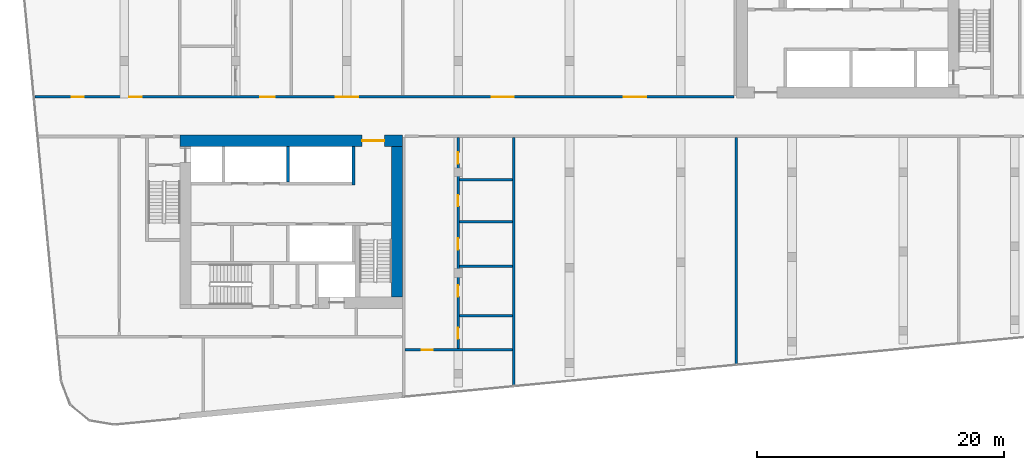
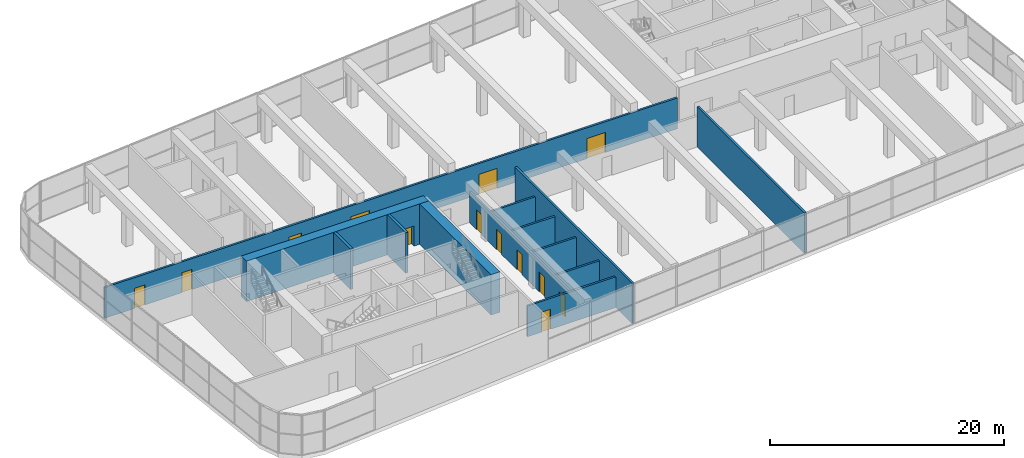
# One storey, part 14 of 21: 13 doors, 13 walls, 13 openings.
"""IFC4 building model written with IfcOpenShell, lengths in metres."""

from ifc_helpers import new_model, si_unit, direction, frame, frame_2d, origin, place, context, subcontext, project, spatial, rectangle, extrude, material, layer, layer_set, type_object, element, fill, save


model = new_model("IFC4")

# Units and contexts
model_context = context("Model", 3, precision=1e-05, world=origin(), true_north=direction((0.0, 1.0)))
body_context = subcontext(model_context, "Body", "Model", "MODEL_VIEW")
ifc_project = project(units=[si_unit("LENGTHUNIT", "METRE"), si_unit("AREAUNIT", "SQUARE_METRE"), si_unit("VOLUMEUNIT", "CUBIC_METRE"), si_unit("PLANEANGLEUNIT", "RADIAN"), si_unit("MASSUNIT", "GRAM", prefix="KILO")], contexts=[model_context])

# Site, building, storey
site_placement = place(None, origin())
site = spatial("IfcSite", under=ifc_project, at=site_placement, CompositionType="ELEMENT")
building_placement = place(site_placement, origin())
building = spatial("IfcBuilding", under=site, at=building_placement, Name="Kajstack Hotel Tower", CompositionType="ELEMENT")
storey_placement = place(building_placement, frame((0.0, 0.0, 162.39990234375)))
storey = spatial("IfcBuildingStorey", under=building, at=storey_placement, Name="L37", CompositionType="ELEMENT", Elevation=162.39990234375)

# Wall, opening, door
ifc_material_1 = material(Name="Concrete C60/75", Category="concrete")
ifc_layer_1 = layer(ifc_material_1, 0.89990234375)
ifc_layer_set_1 = layer_set([ifc_layer_1], Name="Core wall 900")
wall_type_1 = type_object("IfcWallType", Name="Core wall 900", PredefinedType="SHEAR", material=ifc_layer_set_1)
wall_1_placement = place(storey_placement, frame((-31.5, -1.949951171875, 0.0), z_axis=(0.0, 0.0, 1.0), x_axis=(1.0, 0.0, 0.0)))
wall_1 = element("IfcWall", 1, at=wall_1_placement, inside=storey, type_object=wall_type_1, Name="Core wall W RN", PredefinedType="SHEAR", context=body_context, shape_type="SweptSolid", body=[
    extrude(rectangle(XDim=18.0, YDim=0.89990234375, at=frame_2d((9.0, 0.0))), origin(), (0.0, 0.0, 1.0), 4.22021484375),
])
opening_1_placement = place(wall_1_placement, frame((14.72509765625, 0.0, 0.0)))
opening_1 = element("IfcOpeningElement", 2, at=opening_1_placement, cuts=wall_1, Name="Opening 37W07", PredefinedType="OPENING", context=body_context, shape_type="SweptSolid", body=[
    extrude(rectangle(XDim=1.800048828125, YDim=2.10009765625, at=frame_2d((0.89990234375, 1.050048828125))), frame((0.0, 0.4599609375, 0.0), z_axis=(0.0, -1.0, 0.0), x_axis=(1.0, 0.0, 0.0)), (0.0, 0.0, 1.0), 0.919921875),
])
ifc_material_2 = material(Name="Glazed steel frame, fire-rated glass", Category="steel")
door_type_1 = type_object("IfcDoorType", Name="Lobby double door 1800", OperationType="DOUBLE_DOOR_DOUBLE_SWING", PredefinedType="DOOR", material=ifc_material_2)
door_1_placement = place(opening_1_placement, origin())
door_1 = element("IfcDoor", 3, at=door_1_placement, inside=storey, type_object=door_type_1, Name="Door 37W07", OperationType="DOUBLE_DOOR_DOUBLE_SWING", OverallHeight=2.10009765625, OverallWidth=1.800048828125, PredefinedType="DOOR", context=body_context, shape_type="SweptSolid", body=[
    extrude(rectangle(XDim=1.800048828125, YDim=2.10009765625, at=frame_2d((0.89990234375, 1.050048828125))), frame((0.0, 0.02490234375, 0.0), z_axis=(0.0, -1.0, 0.0), x_axis=(1.0, 0.0, 0.0)), (0.0, 0.0, 1.0), 0.050048828125),
])
fill(opening_1, door_1)

# Walls
wall_2_placement = place(storey_placement, frame((-13.949951171875, -14.60009765625, 0.0), z_axis=(0.0, 0.0, 1.0), x_axis=(0.0, 1.0, 0.0)))
element("IfcWall", 4, at=wall_2_placement, inside=storey, type_object=wall_type_1, Name="Core wall W RE", PredefinedType="SHEAR", context=body_context, shape_type="SweptSolid", body=[
    extrude(rectangle(XDim=12.2001953125, YDim=0.89990234375, at=frame_2d((6.10009765625, 0.0))), origin(), (0.0, 0.0, 1.0), 4.22021484375),
])
ifc_material_3 = material(Name="Concrete C50/60", Category="concrete")
ifc_layer_2 = layer(ifc_material_3, 0.300048828125)
ifc_layer_set_2 = layer_set([ifc_layer_2], Name="Hoistway divider wall 300")
wall_type_2 = type_object("IfcWallType", Name="Hoistway divider wall 300", PredefinedType="SHEAR", material=ifc_layer_set_2)
wall_3_placement = place(storey_placement, frame((-22.77490234375, -5.300048828125, 0.0), z_axis=(0.0, 0.0, 1.0), x_axis=(0.0, 1.0, 0.0)))
element("IfcWall", 5, at=wall_3_placement, inside=storey, type_object=wall_type_2, Name="Core wall W AP2", PredefinedType="SHEAR", context=body_context, shape_type="SweptSolid", body=[
    extrude(rectangle(XDim=2.900146484375, YDim=0.25, at=frame_2d((1.4501953125, 0.0))), origin(), (0.0, 0.0, 1.0), 4.22021484375),
])

# Wall, openings, doors
ifc_material_4 = material(Name="Gypsum board on steel studs, mineral wool", Category="steel")
ifc_layer_3 = layer(ifc_material_4, 0.199951171875)
ifc_layer_set_3 = layer_set([ifc_layer_3], Name="Public partition 200")
wall_type_3 = type_object("IfcWallType", Name="Public partition 200", PredefinedType="PARTITIONING", material=ifc_layer_set_3)
wall_4_placement = place(storey_placement, frame((-43.243408203125, 1.60009765625, 0.0), z_axis=(0.0, 0.0, 1.0), x_axis=(1.0, 0.0, 0.0)))
wall_4 = element("IfcWall", 6, at=wall_4_placement, inside=storey, type_object=wall_type_3, Name="Partition FW", PredefinedType="PARTITIONING", context=body_context, shape_type="SweptSolid", body=[
    extrude(rectangle(XDim=56.54345703125, YDim=0.199951171875, at=frame_2d((28.271728515625, 0.0))), origin(), (0.0, 0.0, 1.0), 3.22021484375),
])
opening_2_placement = place(wall_4_placement, frame((47.633544921875, 0.0, 0.0)))
opening_2 = element("IfcOpeningElement", 7, at=opening_2_placement, cuts=wall_4, Name="Opening 37P01", PredefinedType="OPENING", context=body_context, shape_type="SweptSolid", body=[
    extrude(rectangle(XDim=1.800048828125, YDim=2.10009765625, at=frame_2d((0.89990234375, 1.050048828125))), frame((0.0, 0.10986328125, 0.0), z_axis=(0.0, -1.0, 0.0), x_axis=(1.0, 0.0, 0.0)), (0.0, 0.0, 1.0), 0.219970703125),
])
opening_3_placement = place(wall_4_placement, frame((36.95361328125, 0.0, 0.0)))
opening_3 = element("IfcOpeningElement", 8, at=opening_3_placement, cuts=wall_4, Name="Opening 37P02", PredefinedType="OPENING", context=body_context, shape_type="SweptSolid", body=[
    extrude(rectangle(XDim=1.800048828125, YDim=2.10009765625, at=frame_2d((0.89990234375, 1.050048828125))), frame((0.0, 0.10986328125, 0.0), z_axis=(0.0, -1.0, 0.0), x_axis=(1.0, 0.0, 0.0)), (0.0, 0.0, 1.0), 0.219970703125),
])
opening_4_placement = place(wall_4_placement, frame((24.343505859375, 0.0, 0.0)))
opening_4 = element("IfcOpeningElement", 9, at=opening_4_placement, cuts=wall_4, Name="Opening 37P03", PredefinedType="OPENING", context=body_context, shape_type="SweptSolid", body=[
    extrude(rectangle(XDim=1.800048828125, YDim=2.10009765625, at=frame_2d((0.89990234375, 1.050048828125))), frame((0.0, 0.10986328125, 0.0), z_axis=(0.0, -1.0, 0.0), x_axis=(1.0, 0.0, 0.0)), (0.0, 0.0, 1.0), 0.219970703125),
])
opening_5_placement = place(wall_4_placement, frame((18.218505859375, 0.0, 0.0)))
opening_5 = element("IfcOpeningElement", 10, at=opening_5_placement, cuts=wall_4, Name="Opening 37P04", PredefinedType="OPENING", context=body_context, shape_type="SweptSolid", body=[
    extrude(rectangle(XDim=1.199951171875, YDim=2.10009765625, at=frame_2d((0.60009765625, 1.050048828125))), frame((0.0, 0.10986328125, 0.0), z_axis=(0.0, -1.0, 0.0), x_axis=(1.0, 0.0, 0.0)), (0.0, 0.0, 1.0), 0.219970703125),
])
opening_6_placement = place(wall_4_placement, frame((7.642578125, 0.0, 0.0)))
opening_6 = element("IfcOpeningElement", 11, at=opening_6_placement, cuts=wall_4, Name="Opening 37P09", PredefinedType="OPENING", context=body_context, shape_type="SweptSolid", body=[
    extrude(rectangle(XDim=1.0, YDim=2.10009765625, at=frame_2d((0.5, 1.050048828125))), frame((0.0, 0.10986328125, 0.0), z_axis=(0.0, -1.0, 0.0), x_axis=(1.0, 0.0, 0.0)), (0.0, 0.0, 1.0), 0.219970703125),
])
opening_7_placement = place(wall_4_placement, frame((2.974609375, 0.0, 0.0)))
opening_7 = element("IfcOpeningElement", 12, at=opening_7_placement, cuts=wall_4, Name="Opening 37P10", PredefinedType="OPENING", context=body_context, shape_type="SweptSolid", body=[
    extrude(rectangle(XDim=1.0, YDim=2.10009765625, at=frame_2d((0.5, 1.050048828125))), frame((0.0, 0.10986328125, 0.0), z_axis=(0.0, -1.0, 0.0), x_axis=(1.0, 0.0, 0.0)), (0.0, 0.0, 1.0), 0.219970703125),
])
ifc_material_5 = material(Name="Timber leaf, fire-rated", Category="wood")
door_type_2 = type_object("IfcDoorType", Name="Public corridor door 1200", OperationType="SINGLE_SWING_LEFT", PredefinedType="DOOR", material=ifc_material_5)
door_2_placement = place(opening_5_placement, origin())
door_2 = element("IfcDoor", 13, at=door_2_placement, inside=storey, type_object=door_type_2, Name="Door 37P04", OperationType="SINGLE_SWING_LEFT", OverallHeight=2.10009765625, OverallWidth=1.199951171875, PredefinedType="DOOR", context=body_context, shape_type="SweptSolid", body=[
    extrude(rectangle(XDim=1.199951171875, YDim=2.10009765625, at=frame_2d((0.60009765625, 1.050048828125))), frame((0.0, 0.02490234375, 0.0), z_axis=(0.0, -1.0, 0.0), x_axis=(1.0, 0.0, 0.0)), (0.0, 0.0, 1.0), 0.050048828125),
])
fill(opening_5, door_2)
ifc_material_6 = material(Name="Glazed timber frame, fire-rated glass", Category="wood")
door_type_3 = type_object("IfcDoorType", Name="Public double door 1800", OperationType="DOUBLE_DOOR_DOUBLE_SWING", PredefinedType="DOOR", material=ifc_material_6)
door_3_placement = place(opening_2_placement, origin())
door_3 = element("IfcDoor", 14, at=door_3_placement, inside=storey, type_object=door_type_3, Name="Door 37P01", OperationType="DOUBLE_DOOR_DOUBLE_SWING", OverallHeight=2.10009765625, OverallWidth=1.800048828125, PredefinedType="DOOR", context=body_context, shape_type="SweptSolid", body=[
    extrude(rectangle(XDim=1.800048828125, YDim=2.10009765625, at=frame_2d((0.89990234375, 1.050048828125))), frame((0.0, 0.02490234375, 0.0), z_axis=(0.0, -1.0, 0.0), x_axis=(1.0, 0.0, 0.0)), (0.0, 0.0, 1.0), 0.050048828125),
])
fill(opening_2, door_3)
door_4_placement = place(opening_3_placement, origin())
door_4 = element("IfcDoor", 15, at=door_4_placement, inside=storey, type_object=door_type_3, Name="Door 37P02", OperationType="DOUBLE_DOOR_DOUBLE_SWING", OverallHeight=2.10009765625, OverallWidth=1.800048828125, PredefinedType="DOOR", context=body_context, shape_type="SweptSolid", body=[
    extrude(rectangle(XDim=1.800048828125, YDim=2.10009765625, at=frame_2d((0.89990234375, 1.050048828125))), frame((0.0, 0.02490234375, 0.0), z_axis=(0.0, -1.0, 0.0), x_axis=(1.0, 0.0, 0.0)), (0.0, 0.0, 1.0), 0.050048828125),
])
fill(opening_3, door_4)
door_5_placement = place(opening_4_placement, origin())
door_5 = element("IfcDoor", 16, at=door_5_placement, inside=storey, type_object=door_type_3, Name="Door 37P03", OperationType="DOUBLE_DOOR_DOUBLE_SWING", OverallHeight=2.10009765625, OverallWidth=1.800048828125, PredefinedType="DOOR", context=body_context, shape_type="SweptSolid", body=[
    extrude(rectangle(XDim=1.800048828125, YDim=2.10009765625, at=frame_2d((0.89990234375, 1.050048828125))), frame((0.0, 0.02490234375, 0.0), z_axis=(0.0, -1.0, 0.0), x_axis=(1.0, 0.0, 0.0)), (0.0, 0.0, 1.0), 0.050048828125),
])
fill(opening_4, door_5)
ifc_material_7 = material(Name="Timber leaf", Category="wood")
door_type_4 = type_object("IfcDoorType", Name="Public room door 1000", OperationType="SINGLE_SWING_LEFT", PredefinedType="DOOR", material=ifc_material_7)
door_6_placement = place(opening_6_placement, origin())
door_6 = element("IfcDoor", 17, at=door_6_placement, inside=storey, type_object=door_type_4, Name="Door 37P09", OperationType="SINGLE_SWING_LEFT", OverallHeight=2.10009765625, OverallWidth=1.0, PredefinedType="DOOR", context=body_context, shape_type="SweptSolid", body=[
    extrude(rectangle(XDim=1.0, YDim=2.10009765625, at=frame_2d((0.5, 1.050048828125))), frame((0.0, 0.02490234375, 0.0), z_axis=(0.0, -1.0, 0.0), x_axis=(1.0, 0.0, 0.0)), (0.0, 0.0, 1.0), 0.050048828125),
])
fill(opening_6, door_6)
door_7_placement = place(opening_7_placement, origin())
door_7 = element("IfcDoor", 18, at=door_7_placement, inside=storey, type_object=door_type_4, Name="Door 37P10", OperationType="SINGLE_SWING_LEFT", OverallHeight=2.10009765625, OverallWidth=1.0, PredefinedType="DOOR", context=body_context, shape_type="SweptSolid", body=[
    extrude(rectangle(XDim=1.0, YDim=2.10009765625, at=frame_2d((0.5, 1.050048828125))), frame((0.0, 0.02490234375, 0.0), z_axis=(0.0, -1.0, 0.0), x_axis=(1.0, 0.0, 0.0)), (0.0, 0.0, 1.0), 0.050048828125),
])
fill(opening_7, door_7)

wall_5_placement = place(storey_placement, frame((-9.0, -18.762451171875, 0.0), z_axis=(0.0, 0.0, 1.0), x_axis=(0.0, 1.0, 0.0)))
wall_5 = element("IfcWall", 19, at=wall_5_placement, inside=storey, type_object=wall_type_3, Name="Partition SC0CW", PredefinedType="PARTITIONING", context=body_context, shape_type="SweptSolid", body=[
    extrude(rectangle(XDim=17.0625, YDim=0.199951171875, at=frame_2d((8.53125, 0.0))), origin(), (0.0, 0.0, 1.0), 3.22021484375),
])
opening_8_placement = place(wall_5_placement, frame((14.96240234375, 0.0, 0.0)))
opening_8 = element("IfcOpeningElement", 20, at=opening_8_placement, cuts=wall_5, Name="Opening 37P12", PredefinedType="OPENING", context=body_context, shape_type="SweptSolid", body=[
    extrude(rectangle(XDim=0.89990234375, YDim=2.10009765625, at=frame_2d((0.449951171875, 1.050048828125))), frame((0.0, 0.10986328125, 0.0), z_axis=(0.0, -1.0, 0.0), x_axis=(1.0, 0.0, 0.0)), (0.0, 0.0, 1.0), 0.219970703125),
])
opening_9_placement = place(wall_5_placement, frame((11.512451171875, 0.0, 0.0)))
opening_9 = element("IfcOpeningElement", 21, at=opening_9_placement, cuts=wall_5, Name="Opening 37P13", PredefinedType="OPENING", context=body_context, shape_type="SweptSolid", body=[
    extrude(rectangle(XDim=0.89990234375, YDim=2.10009765625, at=frame_2d((0.449951171875, 1.050048828125))), frame((0.0, 0.10986328125, 0.0), z_axis=(0.0, -1.0, 0.0), x_axis=(1.0, 0.0, 0.0)), (0.0, 0.0, 1.0), 0.219970703125),
])
opening_10_placement = place(wall_5_placement, frame((8.012451171875, 0.0, 0.0)))
opening_10 = element("IfcOpeningElement", 22, at=opening_10_placement, cuts=wall_5, Name="Opening 37P14", PredefinedType="OPENING", context=body_context, shape_type="SweptSolid", body=[
    extrude(rectangle(XDim=0.89990234375, YDim=2.10009765625, at=frame_2d((0.449951171875, 1.050048828125))), frame((0.0, 0.10986328125, 0.0), z_axis=(0.0, -1.0, 0.0), x_axis=(1.0, 0.0, 0.0)), (0.0, 0.0, 1.0), 0.219970703125),
])
opening_11_placement = place(wall_5_placement, frame((4.21240234375, 0.0, 0.0)))
opening_11 = element("IfcOpeningElement", 23, at=opening_11_placement, cuts=wall_5, Name="Opening 37P15", PredefinedType="OPENING", context=body_context, shape_type="SweptSolid", body=[
    extrude(rectangle(XDim=0.89990234375, YDim=2.10009765625, at=frame_2d((0.449951171875, 1.050048828125))), frame((0.0, 0.10986328125, 0.0), z_axis=(0.0, -1.0, 0.0), x_axis=(1.0, 0.0, 0.0)), (0.0, 0.0, 1.0), 0.219970703125),
])
opening_12_placement = place(wall_5_placement, frame((0.781494140625, 0.0, 0.0)))
opening_12 = element("IfcOpeningElement", 24, at=opening_12_placement, cuts=wall_5, Name="Opening 37P16", PredefinedType="OPENING", context=body_context, shape_type="SweptSolid", body=[
    extrude(rectangle(XDim=0.89990234375, YDim=2.10009765625, at=frame_2d((0.449951171875, 1.050048828125))), frame((0.0, 0.10986328125, 0.0), z_axis=(0.0, -1.0, 0.0), x_axis=(1.0, 0.0, 0.0)), (0.0, 0.0, 1.0), 0.219970703125),
])
door_type_5 = type_object("IfcDoorType", Name="Public room door 900", OperationType="SINGLE_SWING_LEFT", PredefinedType="DOOR", material=ifc_material_7)
door_8_placement = place(opening_8_placement, origin())
door_8 = element("IfcDoor", 25, at=door_8_placement, inside=storey, type_object=door_type_5, Name="Door 37P12", OperationType="SINGLE_SWING_RIGHT", OverallHeight=2.10009765625, OverallWidth=0.89990234375, PredefinedType="DOOR", context=body_context, shape_type="SweptSolid", body=[
    extrude(rectangle(XDim=0.89990234375, YDim=2.10009765625, at=frame_2d((0.449951171875, 1.050048828125))), frame((0.0, 0.02490234375, 0.0), z_axis=(0.0, -1.0, 0.0), x_axis=(1.0, 0.0, 0.0)), (0.0, 0.0, 1.0), 0.050048828125),
])
fill(opening_8, door_8)
door_9_placement = place(opening_9_placement, origin())
door_9 = element("IfcDoor", 26, at=door_9_placement, inside=storey, type_object=door_type_5, Name="Door 37P13", OperationType="SINGLE_SWING_RIGHT", OverallHeight=2.10009765625, OverallWidth=0.89990234375, PredefinedType="DOOR", context=body_context, shape_type="SweptSolid", body=[
    extrude(rectangle(XDim=0.89990234375, YDim=2.10009765625, at=frame_2d((0.449951171875, 1.050048828125))), frame((0.0, 0.02490234375, 0.0), z_axis=(0.0, -1.0, 0.0), x_axis=(1.0, 0.0, 0.0)), (0.0, 0.0, 1.0), 0.050048828125),
])
fill(opening_9, door_9)
door_10_placement = place(opening_10_placement, origin())
door_10 = element("IfcDoor", 27, at=door_10_placement, inside=storey, type_object=door_type_5, Name="Door 37P14", OperationType="SINGLE_SWING_RIGHT", OverallHeight=2.10009765625, OverallWidth=0.89990234375, PredefinedType="DOOR", context=body_context, shape_type="SweptSolid", body=[
    extrude(rectangle(XDim=0.89990234375, YDim=2.10009765625, at=frame_2d((0.449951171875, 1.050048828125))), frame((0.0, 0.02490234375, 0.0), z_axis=(0.0, -1.0, 0.0), x_axis=(1.0, 0.0, 0.0)), (0.0, 0.0, 1.0), 0.050048828125),
])
fill(opening_10, door_10)
door_11_placement = place(opening_11_placement, origin())
door_11 = element("IfcDoor", 28, at=door_11_placement, inside=storey, type_object=door_type_5, Name="Door 37P15", OperationType="SINGLE_SWING_RIGHT", OverallHeight=2.10009765625, OverallWidth=0.89990234375, PredefinedType="DOOR", context=body_context, shape_type="SweptSolid", body=[
    extrude(rectangle(XDim=0.89990234375, YDim=2.10009765625, at=frame_2d((0.449951171875, 1.050048828125))), frame((0.0, 0.02490234375, 0.0), z_axis=(0.0, -1.0, 0.0), x_axis=(1.0, 0.0, 0.0)), (0.0, 0.0, 1.0), 0.050048828125),
])
fill(opening_11, door_11)
door_12_placement = place(opening_12_placement, origin())
door_12 = element("IfcDoor", 29, at=door_12_placement, inside=storey, type_object=door_type_5, Name="Door 37P16", OperationType="SINGLE_SWING_RIGHT", OverallHeight=2.10009765625, OverallWidth=0.89990234375, PredefinedType="DOOR", context=body_context, shape_type="SweptSolid", body=[
    extrude(rectangle(XDim=0.89990234375, YDim=2.10009765625, at=frame_2d((0.449951171875, 1.050048828125))), frame((0.0, 0.02490234375, 0.0), z_axis=(0.0, -1.0, 0.0), x_axis=(1.0, 0.0, 0.0)), (0.0, 0.0, 1.0), 0.050048828125),
])
fill(opening_12, door_12)

# Walls
for number, where, z_axis, x_axis, name in (
    (30, (-8.89990234375, -5.10009765625, 0.0), (0.0, 0.0, 1.0), (1.0, 0.0, 0.0), "Partition SC0wP0"),
    (31, (-8.89990234375, -8.5, 0.0), (0.0, 0.0, 1.0), (1.0, 0.0, 0.0), "Partition SC0wP1"),
    (32, (-8.89990234375, -12.10009765625, 0.0), (0.0, 0.0, 1.0), (1.0, 0.0, 0.0), "Partition SC0wP2"),
    (33, (-8.89990234375, -16.10009765625, 0.0), (0.0, 0.0, 1.0), (1.0, 0.0, 0.0), "Partition SC0wP3"),
):
    element("IfcWall", number, at=place(storey_placement, frame(where, z_axis=z_axis, x_axis=x_axis)), inside=storey, type_object=wall_type_3, Name=name, PredefinedType="PARTITIONING", context=body_context, shape_type="SweptSolid", body=[
        extrude(rectangle(XDim=4.2998046875, YDim=0.199951171875, at=frame_2d((2.14990234375, 0.0))), origin(), (0.0, 0.0, 1.0), 3.22021484375),
    ])

# Wall, opening, door
wall_6_placement = place(storey_placement, frame((-13.300048828125, -18.8623046875, 0.0), z_axis=(0.0, 0.0, 1.0), x_axis=(1.0, 0.0, 0.0)))
wall_6 = element("IfcWall", 34, at=wall_6_placement, inside=storey, type_object=wall_type_3, Name="Partition SC0BW", PredefinedType="PARTITIONING", context=body_context, shape_type="SweptSolid", body=[
    extrude(rectangle(XDim=8.699951171875, YDim=0.199951171875, at=frame_2d((4.35009765625, 0.0))), origin(), (0.0, 0.0, 1.0), 3.22021484375),
])
opening_13_placement = place(wall_6_placement, frame((1.35009765625, 0.0, 0.0)))
opening_13 = element("IfcOpeningElement", 35, at=opening_13_placement, cuts=wall_6, Name="Opening 37P17", PredefinedType="OPENING", context=body_context, shape_type="SweptSolid", body=[
    extrude(rectangle(XDim=0.89990234375, YDim=2.10009765625, at=frame_2d((0.449951171875, 1.050048828125))), frame((0.0, 0.10986328125, 0.0), z_axis=(0.0, -1.0, 0.0), x_axis=(1.0, 0.0, 0.0)), (0.0, 0.0, 1.0), 0.219970703125),
])
door_13_placement = place(opening_13_placement, origin())
door_13 = element("IfcDoor", 36, at=door_13_placement, inside=storey, type_object=door_type_5, Name="Door 37P17", OperationType="SINGLE_SWING_RIGHT", OverallHeight=2.10009765625, OverallWidth=0.89990234375, PredefinedType="DOOR", context=body_context, shape_type="SweptSolid", body=[
    extrude(rectangle(XDim=0.89990234375, YDim=2.10009765625, at=frame_2d((0.449951171875, 1.050048828125))), frame((0.0, 0.02490234375, 0.0), z_axis=(0.0, -1.0, 0.0), x_axis=(1.0, 0.0, 0.0)), (0.0, 0.0, 1.0), 0.050048828125),
])
fill(opening_13, door_13)

# Walls
wall_7_placement = place(storey_placement, frame((-4.5, -21.7353515625, 0.0), z_axis=(0.0, 0.0, 1.0), x_axis=(0.0, 1.0, 0.0)))
element("IfcWall", 37, at=wall_7_placement, inside=storey, type_object=wall_type_3, Name="Partition SPX0", PredefinedType="PARTITIONING", context=body_context, shape_type="SweptSolid", body=[
    extrude(rectangle(XDim=20.035400390625, YDim=0.199951171875, at=frame_2d((10.017578125, 0.0))), origin(), (0.0, 0.0, 1.0), 4.22021484375),
])
wall_8_placement = place(storey_placement, frame((13.5, -20.002197265625, 0.0), z_axis=(0.0, 0.0, 1.0), x_axis=(0.0, 1.0, 0.0)))
element("IfcWall", 38, at=wall_8_placement, inside=storey, type_object=wall_type_3, Name="Partition SPX1", PredefinedType="PARTITIONING", context=body_context, shape_type="SweptSolid", body=[
    extrude(rectangle(XDim=18.30224609375, YDim=0.199951171875, at=frame_2d((9.151123046875, 0.0))), origin(), (0.0, 0.0, 1.0), 4.22021484375),
])
ifc_layer_4 = layer(ifc_material_3, 0.25)
ifc_layer_set_4 = layer_set([ifc_layer_4], Name="Shaft wall 250")
wall_type_4 = type_object("IfcWallType", Name="Shaft wall 250", PredefinedType="SHEAR", material=ifc_layer_set_4)
wall_9_placement = place(storey_placement, frame((-17.47509765625, -5.550048828125, 0.0), z_axis=(0.0, 0.0, 1.0), x_axis=(0.0, 1.0, 0.0)))
element("IfcWall", 39, at=wall_9_placement, inside=storey, type_object=wall_type_4, Name="Core wall W AE", PredefinedType="SHEAR", context=body_context, shape_type="SweptSolid", body=[
    extrude(rectangle(XDim=3.150146484375, YDim=0.25, at=frame_2d((1.5751953125, 0.0))), origin(), (0.0, 0.0, 1.0), 4.22021484375),
])

save(model, "model.ifc")
